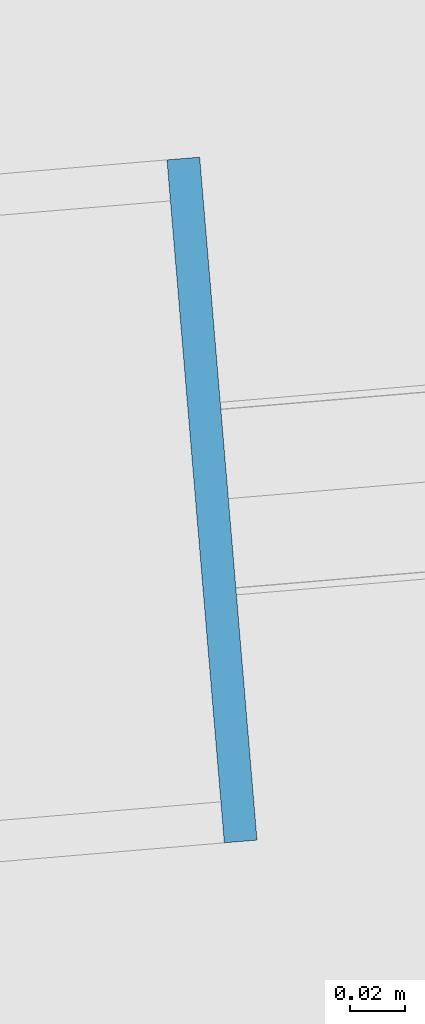
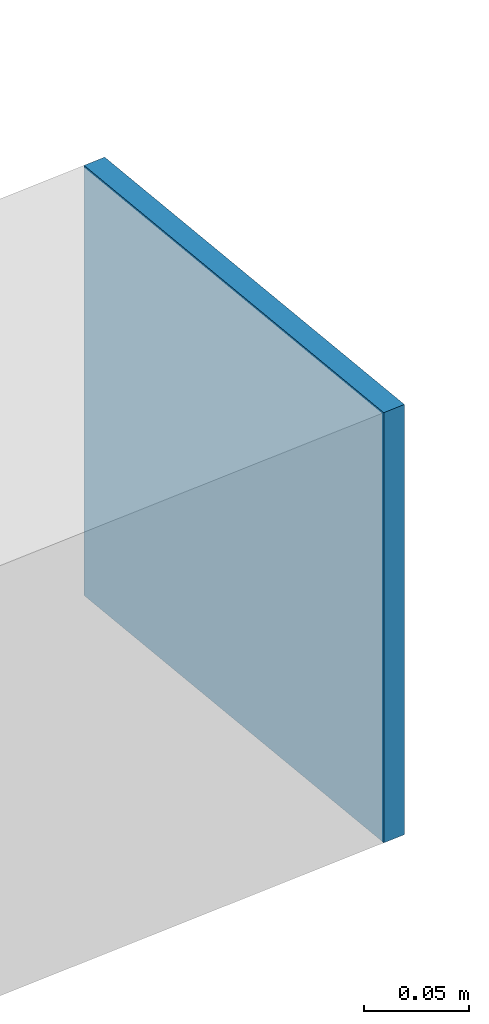
# One storey, part 31 of 39: 1 plate.
"""IFC4 building model written with IfcOpenShell, lengths in metres."""

from ifc_helpers import new_model, si_unit, direction, frame, origin, origin_2d, place, context, subcontext, project, spatial, rectangle, extrude, source, transform, mapped, material, layer, layer_set, type_object, element, save


model = new_model("IFC4")

# Units and contexts
model_context = context("Model", 3, precision=1e-05, world=origin(), true_north=direction((0.0, 1.0)))
body_context = subcontext(model_context, "Body", "Model", "MODEL_VIEW")
ifc_project = project(units=[si_unit("LENGTHUNIT", "METRE"), si_unit("AREAUNIT", "SQUARE_METRE"), si_unit("VOLUMEUNIT", "CUBIC_METRE"), si_unit("PLANEANGLEUNIT", "RADIAN"), si_unit("MASSUNIT", "GRAM", prefix="KILO")], contexts=[model_context])

# Site, building, storey
site_placement = place(None, origin())
site = spatial("IfcSite", under=ifc_project, at=site_placement, CompositionType="ELEMENT")
building_placement = place(site_placement, origin())
building = spatial("IfcBuilding", under=site, at=building_placement, Name="Taldren Reach Tower", CompositionType="ELEMENT")
storey_placement = place(building_placement, frame((0.0, 0.0, 197.75)))
storey = spatial("IfcBuildingStorey", under=building, at=storey_placement, Name="L60", CompositionType="ELEMENT", Elevation=197.75)

# Plate
ifc_material = material(Name="Steel Gr 350 (C350L0)", Category="steel")
ifc_layer = layer(ifc_material, 0.011962890625)
ifc_layer_set = layer_set([ifc_layer], Name="Steel Gr 350 (C350L0)")
plate_type = type_object("IfcPlateType", Name="PL-CAP-250", PredefinedType="SHEET", material=ifc_layer_set)
shared_shape = source(origin(), body_context, "Body", "SweptSolid", [
    extrude(rectangle(XDim=0.011962890625, YDim=0.25, at=origin_2d()), origin(), (0.0, 0.0, 1.0), 0.25),
])
plate_placement = place(storey_placement, frame((62.167724609375, 21.60498046875, 0.094970703125), z_axis=(0.0, 0.0, 1.0), x_axis=(0.99649285925, 0.083677843332, 0.0)))
element("IfcPlate", 1, at=plate_placement, inside=storey, type_object=plate_type, Name="Tie strut end cap plate B4-E2 L60", PredefinedType="SHEET", context=body_context, shape_type="MappedRepresentation", body=[
    mapped(shared_shape, transform((0.0, 0.0, 0.0), scale=1.0)),
])

save(model, "model.ifc")
